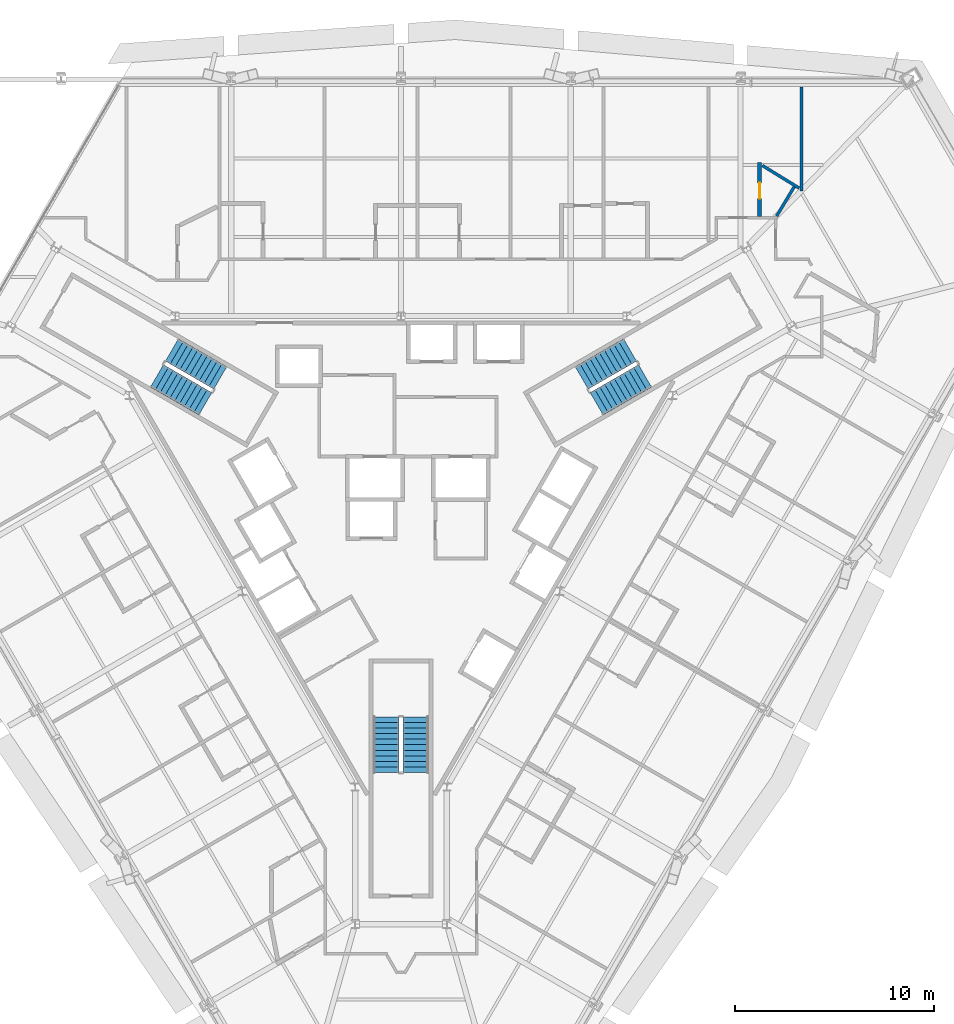
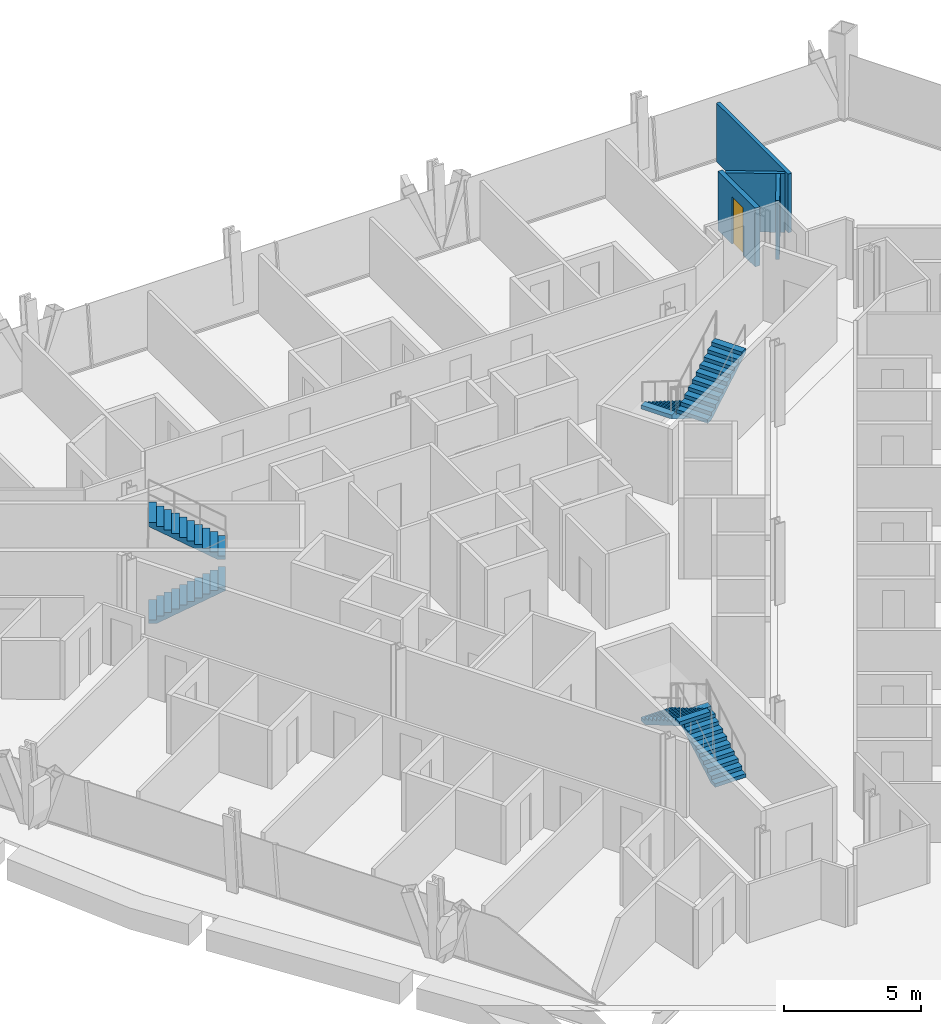
# One storey, part 15 of 17: 6 stair flights, 4 walls, 1 door, 1 opening, 3 elements without a shape of their own.
"""IFC4 building model written with IfcOpenShell, lengths in metres."""

import ifcopenshell
import ifcopenshell.guid

model = None  # the IFC model being written
_history = None  # IfcOwnerHistory: only IFC2X3 demands one
_inside = {}  # id of a spatial element -> (the spatial element, [elements in it])
_under = {}  # id of a project, library or spatial element -> (it, [spatial elements below it])
_declared = {}  # id of a project -> (the project, [libraries it declares])
_typed = {}  # id of a type object -> (the type object, [elements of that type])
_made_of = {}  # id of a material, layer set ... -> (it, [elements and type objects made of it])


def new_model(schema):
    """Start an empty IFC model of exactly this schema.

    Asked for "IFC4X3", IfcOpenShell would pick the latest addendum, in which some entities
    have other attributes; the version numbers below select the first issue.
    IFC2X3 requires an IfcOwnerHistory on every rooted entity: one is made here for all.
    """
    global model, _history
    if schema == "IFC4X3":
        model = ifcopenshell.file(schema_version=(4, 3, 0, 0))
    else:
        model = ifcopenshell.file(schema=schema)
    _inside.clear()
    _under.clear()
    _declared.clear()
    _typed.clear()
    _made_of.clear()
    _history = None
    if model.schema == "IFC2X3":
        org = make("IfcOrganization", Name="unknown")
        user = make(
            "IfcPersonAndOrganization",
            ThePerson=make("IfcPerson", FamilyName="unknown"),
            TheOrganization=org,
        )
        app = make(
            "IfcApplication",
            ApplicationDeveloper=org,
            Version="unknown",
            ApplicationFullName="unknown",
            ApplicationIdentifier="unknown",
        )
        _history = make(
            "IfcOwnerHistory",
            OwningUser=user,
            OwningApplication=app,
            ChangeAction="ADDED",
            CreationDate=0,
        )
    return model


def make(cls, **values):
    """One entity of the class cls with the attributes given. An attribute that is None is left unset."""
    return model.create_entity(
        cls, **{name: value for name, value in values.items() if value is not None}
    )


def rooted(cls, **values):
    """An entity with a GlobalId (a new one), such as an element, a storey or a relation."""
    return make(cls, GlobalId=ifcopenshell.guid.new(), OwnerHistory=_history, **values)


def si_unit(unit_type, name, prefix=None):
    """IfcSIUnit, for example si_unit("LENGTHUNIT", "METRE", prefix="MILLI")."""
    return make("IfcSIUnit", UnitType=unit_type, Prefix=prefix, Name=name)


def assignment(units):
    """IfcUnitAssignment: the units of a project."""
    return None if units is None else make("IfcUnitAssignment", Units=units)


def point(xyz):
    """IfcCartesianPoint."""
    return None if xyz is None else make("IfcCartesianPoint", Coordinates=xyz)


def direction(xyz):
    """IfcDirection."""
    return None if xyz is None else make("IfcDirection", DirectionRatios=xyz)


def frame(location, z_axis=None, x_axis=None):
    """IfcAxis2Placement3D, a coordinate frame: its origin and axes. An axis left out is left unset."""
    return make(
        "IfcAxis2Placement3D",
        Location=point(location),
        Axis=direction(z_axis),
        RefDirection=direction(x_axis),
    )


def frame_2d(location, x_axis=None):
    """IfcAxis2Placement2D, a coordinate frame in the plane: its origin and x axis."""
    return make(
        "IfcAxis2Placement2D", Location=point(location), RefDirection=direction(x_axis)
    )


def origin():
    """The frame at (0, 0, 0) with its axes left unset."""
    return frame((0.0, 0.0, 0.0))


def place(relative_to, where):
    """IfcLocalPlacement: puts the frame where relative to a parent placement (None: the world)."""
    return make(
        "IfcLocalPlacement", PlacementRelTo=relative_to, RelativePlacement=where
    )


def context(
    kind, dimensions, precision=None, world=None, true_north=None, identifier=None
):
    """IfcGeometricRepresentationContext, for example the 3D "Model" context."""
    return make(
        "IfcGeometricRepresentationContext",
        ContextIdentifier=identifier,
        ContextType=kind,
        CoordinateSpaceDimension=dimensions,
        Precision=precision,
        WorldCoordinateSystem=world,
        TrueNorth=true_north,
    )


def subcontext(parent, identifier, kind, view, scale=None):
    """IfcGeometricRepresentationSubContext, for example "Body" below "Model"."""
    return make(
        "IfcGeometricRepresentationSubContext",
        ContextIdentifier=identifier,
        ContextType=kind,
        ParentContext=parent,
        TargetScale=scale,
        TargetView=view,
    )


def project(units=None, contexts=None):
    """IfcProject with its units and contexts."""
    return rooted(
        "IfcProject",
        Name="project",
        RepresentationContexts=contexts,
        UnitsInContext=assignment(units),
    )


def spatial(cls, under=None, at=None, **own):
    """A site, building, storey or space (cls), placed at a placement, below another one or the project."""
    s = rooted(cls, ObjectPlacement=at, **own)
    if under is not None:
        _under.setdefault(under.id(), (under, []))[1].append(s)
    return s


def polyline(points):
    """IfcPolyline through the points."""
    return make("IfcPolyline", Points=[point(p) for p in points])


def profile(cls, at=None, kind="AREA", **sizes):
    """A parametric profile (cls). Its sizes go by their IFC names, for example OverallWidth=200.0."""
    return make(cls, ProfileType=kind, Position=at, **sizes)


def rectangle(**sizes):
    """IfcRectangleProfileDef."""
    return profile("IfcRectangleProfileDef", **sizes)


def outline(outer, holes=None, kind="AREA"):
    """IfcArbitraryClosedProfileDef: a profile drawn as a closed curve; with holes, ...WithVoids."""
    if holes is None:
        return make("IfcArbitraryClosedProfileDef", ProfileType=kind, OuterCurve=outer)
    return make(
        "IfcArbitraryProfileDefWithVoids",
        ProfileType=kind,
        OuterCurve=outer,
        InnerCurves=holes,
    )


def extrude(swept, where, along, depth):
    """IfcExtrudedAreaSolid: the profile swept, set in the frame where, extruded along a direction by depth."""
    return make(
        "IfcExtrudedAreaSolid",
        SweptArea=swept,
        Position=where,
        ExtrudedDirection=direction(along),
        Depth=depth,
    )


def shape(context_of_items, identifier, shape_type, items):
    """IfcShapeRepresentation: the items that make up one representation, for example the "Body"."""
    return make(
        "IfcShapeRepresentation",
        ContextOfItems=context_of_items,
        RepresentationIdentifier=identifier,
        RepresentationType=shape_type,
        Items=items,
    )


def material(Name=None, Category=None):
    """IfcMaterial."""
    return make("IfcMaterial", Name=Name, Category=Category)


def layer(
    of_material, thickness, ventilated=None, Name=None, Category=None, Priority=None
):
    """IfcMaterialLayer: one layer of a wall or slab, of a material (None: an air gap)."""
    return make(
        "IfcMaterialLayer",
        Material=of_material,
        LayerThickness=thickness,
        IsVentilated=ventilated,
        Name=Name,
        Category=Category,
        Priority=Priority,
    )


def layer_set(layers, Name=None):
    """IfcMaterialLayerSet."""
    return make("IfcMaterialLayerSet", MaterialLayers=layers, LayerSetName=Name)


def made_of(thing, what):
    """Note that an element or type object is made of a material, layer set ...; save() writes the relation."""
    if what is not None:
        _made_of.setdefault(what.id(), (what, []))[1].append(thing)
    return thing


def type_object(cls, material=None, **own):
    """A type object (cls), such as IfcWallType, which elements share."""
    return made_of(rooted(cls, **own), material)


def element(
    cls,
    number,
    at=None,
    inside=None,
    cuts=None,
    type_object=None,
    material=None,
    context=None,
    identifier="Body",
    shape_type=None,
    held_by="IfcProductDefinitionShape",
    body=None,
    shapes=None,
    **own,
):
    """One element of the class cls, such as IfcWall. Its Tag is "e" and its number.

    at: its placement. inside: the storey or other place that contains it. cuts: it is an
    opening in that element (IfcRelVoidsElement). A single representation is given by context,
    identifier, shape_type and body (its items); several are given by shapes. held_by: the class
    of the entity that holds the representations. save() writes the other relations.
    """
    e = rooted(cls, Tag="e%d" % number, ObjectPlacement=at, **own)
    if body is not None:
        shapes = [shape(context, identifier, shape_type, body)]
    if shapes is not None:
        e.Representation = make(held_by, Representations=shapes)
    if inside is not None:
        _inside.setdefault(inside.id(), (inside, []))[1].append(e)
    if cuts is not None:
        rooted(
            "IfcRelVoidsElement", RelatingBuildingElement=cuts, RelatedOpeningElement=e
        )
    if type_object is not None:
        _typed.setdefault(type_object.id(), (type_object, []))[1].append(e)
    return made_of(e, material)


def fill(opening, filler):
    """IfcRelFillsElement: the door or window that sits in an opening."""
    return rooted(
        "IfcRelFillsElement",
        RelatingOpeningElement=opening,
        RelatedBuildingElement=filler,
    )


def aggregate(whole, parts):
    """IfcRelAggregates: a whole, such as a stair, and the parts it consists of."""
    return rooted("IfcRelAggregates", RelatingObject=whole, RelatedObjects=parts)


def save(model, path):
    """Write the relations noted so far, then the file.

    IfcRelAggregates (storeys below a building ...), IfcRelContainedInSpatialStructure (elements
    in a storey), IfcRelDefinesByType, IfcRelAssociatesMaterial and IfcRelDeclares: one each for
    every whole, place, type object, material and project.
    """
    for whole, parts in _under.values():
        aggregate(whole, parts)
    for where, things in _inside.values():
        rooted(
            "IfcRelContainedInSpatialStructure",
            RelatedElements=things,
            RelatingStructure=where,
        )
    for kind, things in _typed.values():
        rooted("IfcRelDefinesByType", RelatedObjects=things, RelatingType=kind)
    for what, things in _made_of.values():
        rooted("IfcRelAssociatesMaterial", RelatedObjects=things, RelatingMaterial=what)
    for by, libraries in _declared.values():
        rooted("IfcRelDeclares", RelatingContext=by, RelatedDefinitions=libraries)
    model.write(path)


model = new_model("IFC4")

# Units and contexts
model_context = context("Model", 3, precision=1e-05, world=origin(), true_north=direction((0.0, 1.0)))
body_context = subcontext(model_context, "Body", "Model", "MODEL_VIEW")
ifc_project = project(units=[si_unit("LENGTHUNIT", "METRE"), si_unit("AREAUNIT", "SQUARE_METRE"), si_unit("VOLUMEUNIT", "CUBIC_METRE"), si_unit("PLANEANGLEUNIT", "RADIAN"), si_unit("MASSUNIT", "GRAM", prefix="KILO")], contexts=[model_context])

# Site, building, storey
site_placement = place(None, origin())
site = spatial("IfcSite", under=ifc_project, at=site_placement, CompositionType="ELEMENT")
building_placement = place(site_placement, origin())
building = spatial("IfcBuilding", under=site, at=building_placement, Name="Verrane Prism Tower", CompositionType="ELEMENT")
storey_placement = place(building_placement, frame((0.0, 0.0, 62.0)))
storey = spatial("IfcBuildingStorey", under=building, at=storey_placement, Name="L13", CompositionType="ELEMENT", Elevation=62.0)

# Walls
ifc_material_1 = material(Name="Gypsum board partition", Category="other")
ifc_layer_1 = layer(ifc_material_1, 0.14990234375)
ifc_layer_set_1 = layer_set([ifc_layer_1], Name="PW-150 demising wall 1 h")
wall_type_1 = type_object("IfcWallType", Name="PW-150 demising wall 1 h", PredefinedType="PARTITIONING", material=ifc_layer_set_1)
wall_1_placement = place(storey_placement, frame((18.125244140625, 16.753173828125, 0.0), z_axis=(0.0, 0.0, 1.0), x_axis=(0.851893865078, -0.523714466711, 0.0)))
element("IfcWall", 1, at=wall_1_placement, inside=storey, type_object=wall_type_1, Name="Demising wall 084", PredefinedType="PARTITIONING", context=body_context, shape_type="SweptSolid", body=[
    extrude(rectangle(XDim=2.169921875, YDim=0.14990234375, at=frame_2d((1.0849609375, 0.0))), origin(), (0.0, 0.0, 1.0), 2.613037109375),
])
wall_2_placement = place(storey_placement, frame((18.842041015625, 14.212158203125, 0.0), z_axis=(0.0, 0.0, 1.0), x_axis=(0.513405982386, 0.858145848472, 0.0)))
element("IfcWall", 2, at=wall_2_placement, inside=storey, type_object=wall_type_1, Name="Demising wall 088", PredefinedType="PARTITIONING", context=body_context, shape_type="SweptSolid", body=[
    extrude(rectangle(XDim=1.7138671875, YDim=0.14990234375, at=frame_2d((0.85693359375, 0.0))), origin(), (0.0, 0.0, 1.0), 2.613037109375),
])
wall_3_placement = place(storey_placement, frame((20.089111328125, 15.470947265625, 0.0), z_axis=(0.0, 0.0, 1.0), x_axis=(0.0, 1.0, 0.0)))
element("IfcWall", 3, at=wall_3_placement, inside=storey, type_object=wall_type_1, Name="Demising wall 092", PredefinedType="PARTITIONING", context=body_context, shape_type="SweptSolid", body=[
    extrude(rectangle(XDim=5.22412109375, YDim=0.14990234375, at=frame_2d((2.612060546875, 0.0))), origin(), (0.0, 0.0, 1.0), 2.613037109375),
])

# Wall, opening, door
ifc_material_2 = material(Name="Gypsum board partition", Category="other")
ifc_layer_2 = layer(ifc_material_2, 0.199951171875)
ifc_layer_set_2 = layer_set([ifc_layer_2], Name="PW-200 plumbing wall")
wall_type_2 = type_object("IfcWallType", Name="PW-200 plumbing wall", PredefinedType="PARTITIONING", material=ifc_layer_set_2)
wall_4_placement = place(storey_placement, frame((17.989013671875, 16.912109375, 0.0), z_axis=(0.0, 0.0, 1.0), x_axis=(0.0, -1.0, 0.0)))
wall_4 = element("IfcWall", 4, at=wall_4_placement, inside=storey, type_object=wall_type_2, Name="Plumbing wall 083", PredefinedType="PARTITIONING", context=body_context, shape_type="SweptSolid", body=[
    extrude(rectangle(XDim=2.712646484375, YDim=0.199951171875, at=frame_2d((1.3564453125, 0.0))), origin(), (0.0, 0.0, 1.0), 2.613037109375),
])
opening_placement = place(wall_4_placement, frame((1.02490234375, 0.0, 0.0)))
opening = element("IfcOpeningElement", 5, at=opening_placement, cuts=wall_4, Name="Opening D12002", PredefinedType="OPENING", context=body_context, shape_type="SweptSolid", body=[
    extrude(rectangle(XDim=0.800048828125, YDim=2.10009765625, at=frame_2d((0.39990234375, 1.050048828125))), frame((0.0, 0.10986328125, 0.0), z_axis=(0.0, -1.0, 0.0), x_axis=(1.0, 0.0, 0.0)), (0.0, 0.0, 1.0), 0.219970703125),
])
ifc_material_3 = material(Name="Timber veneered door leaf", Category="wood")
door_type = type_object("IfcDoorType", Name="DR-800x2100 single leaf bath", OperationType="NOTDEFINED", PredefinedType="DOOR", material=ifc_material_3)
door_placement = place(opening_placement, origin())
door = element("IfcDoor", 6, at=door_placement, inside=storey, type_object=door_type, Name="En-Suite door", OperationType="SINGLE_SWING_RIGHT", OverallHeight=2.10009765625, OverallWidth=0.800048828125, PredefinedType="DOOR", context=body_context, shape_type="SweptSolid", body=[
    extrude(rectangle(XDim=0.800048828125, YDim=2.10009765625, at=frame_2d((0.39990234375, 1.050048828125))), frame((0.0, 0.02490234375, 0.0), z_axis=(0.0, -1.0, 0.0), x_axis=(1.0, 0.0, 0.0)), (0.0, 0.0, 1.0), 0.050048828125),
])
fill(opening, door)

# Stair, stair flights
ifc_material_4 = material(Name="Concrete C40/50", Category="concrete")
stair_type = type_object("IfcStairType", Name="Exit stair 1300 dog-leg precast concrete C40/50", PredefinedType="HALF_TURN_STAIR", material=ifc_material_4)
stair_1_placement = place(storey_placement, origin())
stair_1 = element("IfcStair", 7, at=stair_1_placement, inside=storey, type_object=stair_type, Name="Stair 1 L13", PredefinedType="HALF_TURN_STAIR")
ifc_material_5 = material(Name="Concrete C40/50", Category="concrete")
stair_flight_type = type_object("IfcStairFlightType", Name="Stair flight 1300 precast concrete C40/50", PredefinedType="STRAIGHT", material=ifc_material_5)
stair_flight_1_placement = place(storey_placement, frame((11.489501953125, 7.49951171875, 0.0), z_axis=(0.0, 0.0, 1.0), x_axis=(-0.866025403784, -0.5, 0.0)))
stair_flight_1 = element("IfcStairFlight", 8, at=stair_flight_1_placement, type_object=stair_flight_type, Name="Stair 1 flight 1", NumberOfRisers=11, NumberOfTreads=10, PredefinedType="STRAIGHT", RiserHeight=0.163636364, TreadLength=0.28, context=body_context, shape_type="SweptSolid", body=[
    extrude(outline(polyline([(0.0, 0.0), (0.0, 0.16357421875), (0.280029296875, 0.16357421875), (0.280029296875, 0.327392578125), (0.56005859375, 0.327392578125), (0.56005859375, 0.490966796875), (0.840087890625, 0.490966796875), (0.840087890625, 0.654541015625), (1.1201171875, 0.654541015625), (1.1201171875, 0.818115234375), (1.39990234375, 0.818115234375), (1.39990234375, 0.98193359375), (1.679931640625, 0.98193359375), (1.679931640625, 1.1455078125), (1.9599609375, 1.1455078125), (1.9599609375, 1.30908203125), (2.239990234375, 1.30908203125), (2.239990234375, 1.47265625), (2.52001953125, 1.47265625), (2.52001953125, 1.636474609375), (2.800048828125, 1.636474609375), (2.800048828125, 1.800048828125), (2.800048828125, 1.462646484375), (0.297119140625, 0.0), (0.0, 0.0)])), frame((0.0, 0.64990234375, 0.0), z_axis=(0.0, -1.0, 0.0), x_axis=(1.0, 0.0, 0.0)), (0.0, 0.0, 1.0), 1.300048828125),
])
stair_flight_2_placement = place(storey_placement, frame((9.814697265625, 4.800537109375, 1.800048828125), z_axis=(0.0, 0.0, 1.0), x_axis=(0.866025403784, 0.5, 0.0)))
stair_flight_2 = element("IfcStairFlight", 9, at=stair_flight_2_placement, type_object=stair_flight_type, Name="Stair 1 flight 2", NumberOfRisers=11, NumberOfTreads=10, PredefinedType="STRAIGHT", RiserHeight=0.163636364, TreadLength=0.28, context=body_context, shape_type="SweptSolid", body=[
    extrude(outline(polyline([(0.0, 0.0), (0.0, 0.16357421875), (0.280029296875, 0.16357421875), (0.280029296875, 0.327392578125), (0.56005859375, 0.327392578125), (0.56005859375, 0.490966796875), (0.840087890625, 0.490966796875), (0.840087890625, 0.654541015625), (1.1201171875, 0.654541015625), (1.1201171875, 0.818115234375), (1.39990234375, 0.818115234375), (1.39990234375, 0.98193359375), (1.679931640625, 0.98193359375), (1.679931640625, 1.1455078125), (1.9599609375, 1.1455078125), (1.9599609375, 1.30908203125), (2.239990234375, 1.30908203125), (2.239990234375, 1.47265625), (2.52001953125, 1.47265625), (2.52001953125, 1.636474609375), (2.800048828125, 1.636474609375), (2.800048828125, 1.800048828125), (2.800048828125, 1.462646484375), (0.297119140625, 0.0), (0.0, 0.0)])), frame((0.0, 0.64990234375, 0.0), z_axis=(0.0, -1.0, 0.0), x_axis=(1.0, 0.0, 0.0)), (0.0, 0.0, 1.0), 1.300048828125),
])
aggregate(stair_1, [stair_flight_1, stair_flight_2])

stair_2_placement = place(storey_placement, origin())
stair_2 = element("IfcStair", 10, at=stair_2_placement, inside=storey, type_object=stair_type, Name="Stair 2 L13", PredefinedType="HALF_TURN_STAIR")
stair_flight_3_placement = place(storey_placement, frame((-12.239501953125, 6.200439453125, 0.0), z_axis=(0.0, 0.0, 1.0), x_axis=(0.866025403784, -0.5, 0.0)))
stair_flight_3 = element("IfcStairFlight", 11, at=stair_flight_3_placement, type_object=stair_flight_type, Name="Stair 2 flight 1", NumberOfRisers=11, NumberOfTreads=10, PredefinedType="STRAIGHT", RiserHeight=0.163636364, TreadLength=0.28, context=body_context, shape_type="SweptSolid", body=[
    extrude(outline(polyline([(0.0, 0.0), (0.0, 0.16357421875), (0.280029296875, 0.16357421875), (0.280029296875, 0.327392578125), (0.56005859375, 0.327392578125), (0.56005859375, 0.490966796875), (0.840087890625, 0.490966796875), (0.840087890625, 0.654541015625), (1.1201171875, 0.654541015625), (1.1201171875, 0.818115234375), (1.39990234375, 0.818115234375), (1.39990234375, 0.98193359375), (1.679931640625, 0.98193359375), (1.679931640625, 1.1455078125), (1.9599609375, 1.1455078125), (1.9599609375, 1.30908203125), (2.239990234375, 1.30908203125), (2.239990234375, 1.47265625), (2.52001953125, 1.47265625), (2.52001953125, 1.636474609375), (2.800048828125, 1.636474609375), (2.800048828125, 1.800048828125), (2.800048828125, 1.462646484375), (0.297119140625, 0.0), (0.0, 0.0)])), frame((0.0, 0.64990234375, 0.0), z_axis=(0.0, -1.0, 0.0), x_axis=(1.0, 0.0, 0.0)), (0.0, 0.0, 1.0), 1.300048828125),
])
stair_flight_4_placement = place(storey_placement, frame((-9.064697265625, 6.099609375, 1.800048828125), z_axis=(0.0, 0.0, 1.0), x_axis=(-0.866025403784, 0.5, 0.0)))
stair_flight_4 = element("IfcStairFlight", 12, at=stair_flight_4_placement, type_object=stair_flight_type, Name="Stair 2 flight 2", NumberOfRisers=11, NumberOfTreads=10, PredefinedType="STRAIGHT", RiserHeight=0.163636364, TreadLength=0.28, context=body_context, shape_type="SweptSolid", body=[
    extrude(outline(polyline([(0.0, 0.0), (0.0, 0.16357421875), (0.280029296875, 0.16357421875), (0.280029296875, 0.327392578125), (0.56005859375, 0.327392578125), (0.56005859375, 0.490966796875), (0.840087890625, 0.490966796875), (0.840087890625, 0.654541015625), (1.1201171875, 0.654541015625), (1.1201171875, 0.818115234375), (1.39990234375, 0.818115234375), (1.39990234375, 0.98193359375), (1.679931640625, 0.98193359375), (1.679931640625, 1.1455078125), (1.9599609375, 1.1455078125), (1.9599609375, 1.30908203125), (2.239990234375, 1.30908203125), (2.239990234375, 1.47265625), (2.52001953125, 1.47265625), (2.52001953125, 1.636474609375), (2.800048828125, 1.636474609375), (2.800048828125, 1.800048828125), (2.800048828125, 1.462646484375), (0.297119140625, 0.0), (0.0, 0.0)])), frame((0.0, 0.64990234375, 0.0), z_axis=(0.0, -1.0, 0.0), x_axis=(1.0, 0.0, 0.0)), (0.0, 0.0, 1.0), 1.300048828125),
])
aggregate(stair_2, [stair_flight_3, stair_flight_4])

stair_3_placement = place(storey_placement, origin())
stair_3 = element("IfcStair", 13, at=stair_3_placement, inside=storey, type_object=stair_type, Name="Stair 3 L13", PredefinedType="HALF_TURN_STAIR")
stair_flight_5_placement = place(storey_placement, frame((0.75, -13.699951171875, 0.0), z_axis=(0.0, 0.0, 1.0), x_axis=(0.0, 1.0, 0.0)))
stair_flight_5 = element("IfcStairFlight", 14, at=stair_flight_5_placement, type_object=stair_flight_type, Name="Stair 3 flight 1", NumberOfRisers=11, NumberOfTreads=10, PredefinedType="STRAIGHT", RiserHeight=0.163636364, TreadLength=0.28, context=body_context, shape_type="SweptSolid", body=[
    extrude(outline(polyline([(0.0, 0.0), (0.0, 0.16357421875), (0.280029296875, 0.16357421875), (0.280029296875, 0.327392578125), (0.56005859375, 0.327392578125), (0.56005859375, 0.490966796875), (0.840087890625, 0.490966796875), (0.840087890625, 0.654541015625), (1.1201171875, 0.654541015625), (1.1201171875, 0.818115234375), (1.39990234375, 0.818115234375), (1.39990234375, 0.98193359375), (1.679931640625, 0.98193359375), (1.679931640625, 1.1455078125), (1.9599609375, 1.1455078125), (1.9599609375, 1.30908203125), (2.239990234375, 1.30908203125), (2.239990234375, 1.47265625), (2.52001953125, 1.47265625), (2.52001953125, 1.636474609375), (2.800048828125, 1.636474609375), (2.800048828125, 1.800048828125), (2.800048828125, 1.462646484375), (0.297119140625, 0.0), (0.0, 0.0)])), frame((0.0, 0.64990234375, 0.0), z_axis=(0.0, -1.0, 0.0), x_axis=(1.0, 0.0, 0.0)), (0.0, 0.0, 1.0), 1.300048828125),
])
stair_flight_6_placement = place(storey_placement, frame((-0.75, -10.89990234375, 1.800048828125), z_axis=(0.0, 0.0, 1.0), x_axis=(0.0, -1.0, 0.0)))
stair_flight_6 = element("IfcStairFlight", 15, at=stair_flight_6_placement, type_object=stair_flight_type, Name="Stair 3 flight 2", NumberOfRisers=11, NumberOfTreads=10, PredefinedType="STRAIGHT", RiserHeight=0.163636364, TreadLength=0.28, context=body_context, shape_type="SweptSolid", body=[
    extrude(outline(polyline([(0.0, 0.0), (0.0, 0.16357421875), (0.280029296875, 0.16357421875), (0.280029296875, 0.327392578125), (0.56005859375, 0.327392578125), (0.56005859375, 0.490966796875), (0.840087890625, 0.490966796875), (0.840087890625, 0.654541015625), (1.1201171875, 0.654541015625), (1.1201171875, 0.818115234375), (1.39990234375, 0.818115234375), (1.39990234375, 0.98193359375), (1.679931640625, 0.98193359375), (1.679931640625, 1.1455078125), (1.9599609375, 1.1455078125), (1.9599609375, 1.30908203125), (2.239990234375, 1.30908203125), (2.239990234375, 1.47265625), (2.52001953125, 1.47265625), (2.52001953125, 1.636474609375), (2.800048828125, 1.636474609375), (2.800048828125, 1.800048828125), (2.800048828125, 1.462646484375), (0.297119140625, 0.0), (0.0, 0.0)])), frame((0.0, 0.64990234375, 0.0), z_axis=(0.0, -1.0, 0.0), x_axis=(1.0, 0.0, 0.0)), (0.0, 0.0, 1.0), 1.300048828125),
])
aggregate(stair_3, [stair_flight_5, stair_flight_6])

save(model, "model.ifc")
